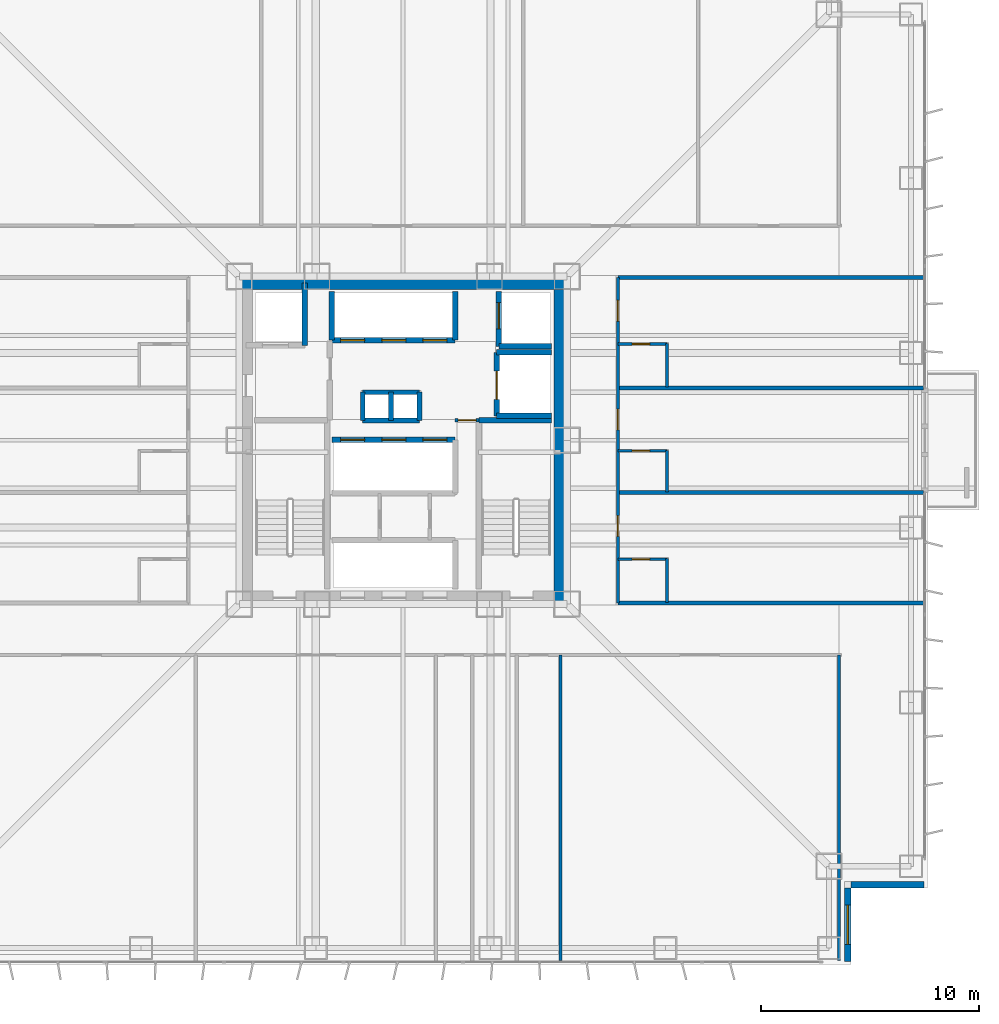
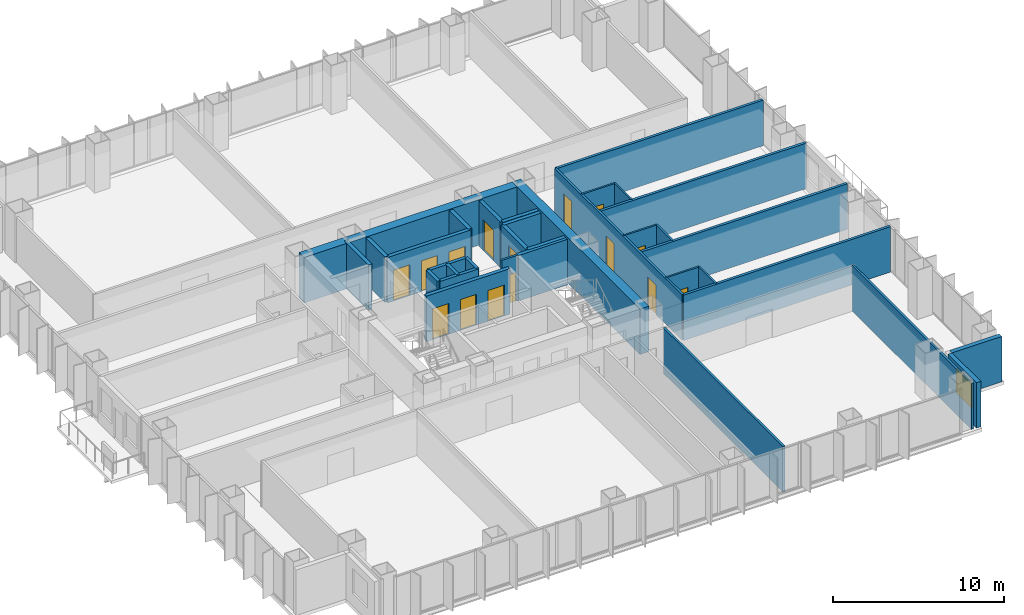
# One storey, part 12 of 16: 34 walls, 15 doors, 1 window, 16 openings.
"""IFC4 building model written with IfcOpenShell, lengths in metres."""

from ifc_helpers import new_model, si_unit, direction, frame, frame_2d, origin, place, context, subcontext, project, spatial, rectangle, extrude, material, layer, layer_set, type_object, element, fill, save


model = new_model("IFC4")

# Units and contexts
model_context = context("Model", 3, precision=1e-05, world=origin(), true_north=direction((0.0, 1.0)))
body_context = subcontext(model_context, "Body", "Model", "MODEL_VIEW")
ifc_project = project(units=[si_unit("LENGTHUNIT", "METRE"), si_unit("AREAUNIT", "SQUARE_METRE"), si_unit("VOLUMEUNIT", "CUBIC_METRE"), si_unit("PLANEANGLEUNIT", "RADIAN"), si_unit("MASSUNIT", "GRAM", prefix="KILO")], contexts=[model_context])

# Site, building, storey
site_placement = place(None, origin())
site = spatial("IfcSite", under=ifc_project, at=site_placement, CompositionType="ELEMENT")
building_placement = place(site_placement, origin())
building = spatial("IfcBuilding", under=site, at=building_placement, Name="Trevonay Congress Spire", CompositionType="ELEMENT")
storey_placement = place(building_placement, frame((0.0, 0.0, 48.0)))
storey = spatial("IfcBuildingStorey", under=building, at=storey_placement, Name="L11", CompositionType="ELEMENT", Elevation=48.0)

# Wall, opening, door
ifc_material_1 = material(Name="Concrete C40/50", Category="concrete")
ifc_layer_1 = layer(ifc_material_1, 0.1201171875, Name="Concrete C40/50")
ifc_layer_set_1 = layer_set([ifc_layer_1], Name="Concrete C40/50")
wall_type_1 = type_object("IfcWallType", Name="WAL-BATH-120", PredefinedType="PLUMBINGWALL", material=ifc_layer_set_1)
wall_1_placement = place(storey_placement, frame((9.830078125, -5.44189453125, 0.0), z_axis=(0.0, 0.0, 1.0), x_axis=(1.0, 0.0, 0.0)))
wall_1 = element("IfcWall", 1, at=wall_1_placement, inside=storey, type_object=wall_type_1, Name="L11 interior wall WH-L11E-BS1", PredefinedType="PLUMBINGWALL", context=body_context, shape_type="SweptSolid", body=[
    extrude(rectangle(XDim=2.25, YDim=0.1201171875, at=frame_2d((1.125, 0.0))), origin(), (0.0, 0.0, 1.0), 3.25),
])
opening_1_placement = place(wall_1_placement, frame((0.64990234375, 0.0, 0.0)))
opening_1 = element("IfcOpeningElement", 2, at=opening_1_placement, cuts=wall_1, Name="Opening D11", PredefinedType="OPENING", context=body_context, shape_type="SweptSolid", body=[
    extrude(rectangle(XDim=0.800048828125, YDim=2.050048828125, at=frame_2d((0.39990234375, 1.02490234375))), frame((0.0, 0.070068359375, 0.0), z_axis=(0.0, -1.0, 0.0), x_axis=(1.0, 0.0, 0.0)), (0.0, 0.0, 1.0), 0.14013671875),
])
ifc_material_2 = material(Name="Pale Anodised Aluminium EN AW-6063-T6", Category="aluminium")
door_type_1 = type_object("IfcDoorType", Name="DOR-BATH-80", OperationType="NOTDEFINED", PredefinedType="DOOR", material=ifc_material_2)
door_1_placement = place(opening_1_placement, origin())
door_1 = element("IfcDoor", 3, at=door_1_placement, inside=storey, type_object=door_type_1, Name="L11 En-suite Bathroom Door", OperationType="SINGLE_SWING_LEFT", OverallHeight=2.050048828125, OverallWidth=0.800048828125, PredefinedType="DOOR", context=body_context, shape_type="SweptSolid", body=[
    extrude(rectangle(XDim=0.800048828125, YDim=2.050048828125, at=frame_2d((0.39990234375, 1.02490234375))), frame((0.0, 0.02490234375, 0.0), z_axis=(0.0, -1.0, 0.0), x_axis=(1.0, 0.0, 0.0)), (0.0, 0.0, 1.0), 0.050048828125),
])
fill(opening_1, door_1)

# Wall
wall_2_placement = place(storey_placement, frame((12.080078125, -7.419921875, 0.0), z_axis=(0.0, 0.0, 1.0), x_axis=(0.0, 1.0, 0.0)))
element("IfcWall", 4, at=wall_2_placement, inside=storey, type_object=wall_type_1, Name="L11 interior wall WH-L11E-BF1", PredefinedType="PLUMBINGWALL", context=body_context, shape_type="SweptSolid", body=[
    extrude(rectangle(XDim=2.0078125, YDim=0.1201171875, at=frame_2d((1.00390625, 0.0))), origin(), (0.0, 0.0, 1.0), 3.25),
])

# Wall, opening, door
wall_3_placement = place(storey_placement, frame((9.830078125, -0.487060546875, 0.0), z_axis=(0.0, 0.0, 1.0), x_axis=(1.0, 0.0, 0.0)))
wall_3 = element("IfcWall", 5, at=wall_3_placement, inside=storey, type_object=wall_type_1, Name="L11 interior wall WH-L11E-BS2", PredefinedType="PLUMBINGWALL", context=body_context, shape_type="SweptSolid", body=[
    extrude(rectangle(XDim=2.25, YDim=0.1201171875, at=frame_2d((1.125, 0.0))), origin(), (0.0, 0.0, 1.0), 3.25),
])
opening_2_placement = place(wall_3_placement, frame((0.64990234375, 0.0, 0.0)))
opening_2 = element("IfcOpeningElement", 6, at=opening_2_placement, cuts=wall_3, Name="Opening D11", PredefinedType="OPENING", context=body_context, shape_type="SweptSolid", body=[
    extrude(rectangle(XDim=0.800048828125, YDim=2.050048828125, at=frame_2d((0.39990234375, 1.02490234375))), frame((0.0, 0.070068359375, 0.0), z_axis=(0.0, -1.0, 0.0), x_axis=(1.0, 0.0, 0.0)), (0.0, 0.0, 1.0), 0.14013671875),
])
door_2_placement = place(opening_2_placement, origin())
door_2 = element("IfcDoor", 7, at=door_2_placement, inside=storey, type_object=door_type_1, Name="L11 En-suite Bathroom Door", OperationType="SINGLE_SWING_RIGHT", OverallHeight=2.050048828125, OverallWidth=0.800048828125, PredefinedType="DOOR", context=body_context, shape_type="SweptSolid", body=[
    extrude(rectangle(XDim=0.800048828125, YDim=2.050048828125, at=frame_2d((0.39990234375, 1.02490234375))), frame((0.0, 0.02490234375, 0.0), z_axis=(0.0, -1.0, 0.0), x_axis=(1.0, 0.0, 0.0)), (0.0, 0.0, 1.0), 0.050048828125),
])
fill(opening_2, door_2)

# Wall
wall_4_placement = place(storey_placement, frame((12.080078125, -2.3701171875, 0.0), z_axis=(0.0, 0.0, 1.0), x_axis=(0.0, 1.0, 0.0)))
element("IfcWall", 8, at=wall_4_placement, inside=storey, type_object=wall_type_1, Name="L11 interior wall WH-L11E-BF2", PredefinedType="PLUMBINGWALL", context=body_context, shape_type="SweptSolid", body=[
    extrude(rectangle(XDim=1.9130859375, YDim=0.1201171875, at=frame_2d((0.95654296875, 0.0))), origin(), (0.0, 0.0, 1.0), 3.25),
])

# Wall, opening, door
wall_5_placement = place(storey_placement, frame((9.830078125, 4.407958984375, 0.0), z_axis=(0.0, 0.0, 1.0), x_axis=(1.0, 0.0, 0.0)))
wall_5 = element("IfcWall", 9, at=wall_5_placement, inside=storey, type_object=wall_type_1, Name="L11 interior wall WH-L11E-BS3", PredefinedType="PLUMBINGWALL", context=body_context, shape_type="SweptSolid", body=[
    extrude(rectangle(XDim=2.25, YDim=0.1201171875, at=frame_2d((1.125, 0.0))), origin(), (0.0, 0.0, 1.0), 3.25),
])
opening_3_placement = place(wall_5_placement, frame((0.64990234375, 0.0, 0.0)))
opening_3 = element("IfcOpeningElement", 10, at=opening_3_placement, cuts=wall_5, Name="Opening D11", PredefinedType="OPENING", context=body_context, shape_type="SweptSolid", body=[
    extrude(rectangle(XDim=0.800048828125, YDim=2.050048828125, at=frame_2d((0.39990234375, 1.02490234375))), frame((0.0, 0.070068359375, 0.0), z_axis=(0.0, -1.0, 0.0), x_axis=(1.0, 0.0, 0.0)), (0.0, 0.0, 1.0), 0.14013671875),
])
door_3_placement = place(opening_3_placement, origin())
door_3 = element("IfcDoor", 11, at=door_3_placement, inside=storey, type_object=door_type_1, Name="L11 En-suite Bathroom Door", OperationType="SINGLE_SWING_LEFT", OverallHeight=2.050048828125, OverallWidth=0.800048828125, PredefinedType="DOOR", context=body_context, shape_type="SweptSolid", body=[
    extrude(rectangle(XDim=0.800048828125, YDim=2.050048828125, at=frame_2d((0.39990234375, 1.02490234375))), frame((0.0, 0.02490234375, 0.0), z_axis=(0.0, -1.0, 0.0), x_axis=(1.0, 0.0, 0.0)), (0.0, 0.0, 1.0), 0.050048828125),
])
fill(opening_3, door_3)

# Walls
wall_6_placement = place(storey_placement, frame((12.080078125, 2.429931640625, 0.0), z_axis=(0.0, 0.0, 1.0), x_axis=(0.0, 1.0, 0.0)))
element("IfcWall", 12, at=wall_6_placement, inside=storey, type_object=wall_type_1, Name="L11 interior wall WH-L11E-BF3", PredefinedType="PLUMBINGWALL", context=body_context, shape_type="SweptSolid", body=[
    extrude(rectangle(XDim=2.008056640625, YDim=0.1201171875, at=frame_2d((1.00390625, 0.0))), origin(), (0.0, 0.0, 1.0), 3.25),
])
ifc_material_3 = material(Name="Concrete C60/75", Category="concrete")
ifc_layer_2 = layer(ifc_material_3, 0.60009765625, Name="Concrete C60/75")
ifc_layer_set_2 = layer_set([ifc_layer_2], Name="Concrete C60/75")
wall_type_2 = type_object("IfcWallType", Name="WAL-CORE-600", PredefinedType="SHEAR", material=ifc_layer_set_2)
for number, where, z_axis, x_axis, name in (
    (13, (-7.5, 7.199951171875, 0.0), (0.0, 0.0, 1.0), (1.0, 0.0, 0.0), "L11 North structural core shear wall"),
    (14, (7.199951171875, -7.5, 0.0), (0.0, 0.0, 1.0), (0.0, 1.0, 0.0), "L11 East structural core shear wall"),
):
    element("IfcWall", number, at=place(storey_placement, frame(where, z_axis=z_axis, x_axis=x_axis)), inside=storey, type_object=wall_type_2, Name=name, PredefinedType="SHEAR", context=body_context, shape_type="SweptSolid", body=[
        extrude(rectangle(XDim=15.0, YDim=0.60009765625, at=frame_2d((7.5, 0.0))), origin(), (0.0, 0.0, 1.0), 3.25),
    ])

# Wall, openings, doors
ifc_layer_3 = layer(ifc_material_1, 0.14990234375, Name="Concrete C40/50")
ifc_layer_set_3 = layer_set([ifc_layer_3], Name="Concrete C40/50")
wall_type_3 = type_object("IfcWallType", Name="WAL-CORR-150", PredefinedType="PARTITIONING", material=ifc_layer_set_3)
wall_7_placement = place(storey_placement, frame((9.830078125, -7.449951171875, 0.0), z_axis=(0.0, 0.0, 1.0), x_axis=(0.0, 1.0, 0.0)))
wall_7 = element("IfcWall", 15, at=wall_7_placement, inside=storey, type_object=wall_type_3, Name="L11 interior wall WH-L11E-COR", PredefinedType="PARTITIONING", context=body_context, shape_type="SweptSolid", body=[
    extrude(rectangle(XDim=14.89990234375, YDim=0.14990234375, at=frame_2d((7.449951171875, 0.0))), origin(), (0.0, 0.0, 1.0), 3.25),
])
opening_4_placement = place(wall_7_placement, frame((3.049072265625, 0.0, 0.0)))
opening_4 = element("IfcOpeningElement", 16, at=opening_4_placement, cuts=wall_7, Name="Opening D08", PredefinedType="OPENING", context=body_context, shape_type="SweptSolid", body=[
    extrude(rectangle(XDim=0.949951171875, YDim=2.080078125, at=frame_2d((0.47509765625, 1.0400390625))), frame((0.0, 0.0849609375, 0.0), z_axis=(0.0, -1.0, 0.0), x_axis=(1.0, 0.0, 0.0)), (0.0, 0.0, 1.0), 0.169921875),
])
opening_5_placement = place(wall_7_placement, frame((7.926513671875, 0.0, 0.0)))
opening_5 = element("IfcOpeningElement", 17, at=opening_5_placement, cuts=wall_7, Name="Opening D08", PredefinedType="OPENING", context=body_context, shape_type="SweptSolid", body=[
    extrude(rectangle(XDim=0.949951171875, YDim=2.080078125, at=frame_2d((0.47509765625, 1.0400390625))), frame((0.0, 0.0849609375, 0.0), z_axis=(0.0, -1.0, 0.0), x_axis=(1.0, 0.0, 0.0)), (0.0, 0.0, 1.0), 0.169921875),
])
opening_6_placement = place(wall_7_placement, frame((12.89892578125, 0.0, 0.0)))
opening_6 = element("IfcOpeningElement", 18, at=opening_6_placement, cuts=wall_7, Name="Opening D08", PredefinedType="OPENING", context=body_context, shape_type="SweptSolid", body=[
    extrude(rectangle(XDim=0.949951171875, YDim=2.080078125, at=frame_2d((0.47509765625, 1.0400390625))), frame((0.0, 0.0849609375, 0.0), z_axis=(0.0, -1.0, 0.0), x_axis=(1.0, 0.0, 0.0)), (0.0, 0.0, 1.0), 0.169921875),
])
door_type_2 = type_object("IfcDoorType", Name="DOR-SUITE-95", OperationType="NOTDEFINED", PredefinedType="DOOR", material=ifc_material_2)
door_4_placement = place(opening_4_placement, origin())
door_4 = element("IfcDoor", 19, at=door_4_placement, inside=storey, type_object=door_type_2, Name="L11 Corner Hotel Suite Entrance Door", OperationType="SINGLE_SWING_RIGHT", OverallHeight=2.080078125, OverallWidth=0.949951171875, PredefinedType="DOOR", context=body_context, shape_type="SweptSolid", body=[
    extrude(rectangle(XDim=0.949951171875, YDim=2.080078125, at=frame_2d((0.47509765625, 1.0400390625))), frame((0.0, 0.02490234375, 0.0), z_axis=(0.0, -1.0, 0.0), x_axis=(1.0, 0.0, 0.0)), (0.0, 0.0, 1.0), 0.050048828125),
])
fill(opening_4, door_4)
door_5_placement = place(opening_5_placement, origin())
door_5 = element("IfcDoor", 20, at=door_5_placement, inside=storey, type_object=door_type_2, Name="L11 Corner Hotel Suite Entrance Door", OperationType="SINGLE_SWING_LEFT", OverallHeight=2.080078125, OverallWidth=0.949951171875, PredefinedType="DOOR", context=body_context, shape_type="SweptSolid", body=[
    extrude(rectangle(XDim=0.949951171875, YDim=2.080078125, at=frame_2d((0.47509765625, 1.0400390625))), frame((0.0, 0.02490234375, 0.0), z_axis=(0.0, -1.0, 0.0), x_axis=(1.0, 0.0, 0.0)), (0.0, 0.0, 1.0), 0.050048828125),
])
fill(opening_5, door_5)
door_6_placement = place(opening_6_placement, origin())
door_6 = element("IfcDoor", 21, at=door_6_placement, inside=storey, type_object=door_type_2, Name="L11 Corner Hotel Suite Entrance Door", OperationType="SINGLE_SWING_RIGHT", OverallHeight=2.080078125, OverallWidth=0.949951171875, PredefinedType="DOOR", context=body_context, shape_type="SweptSolid", body=[
    extrude(rectangle(XDim=0.949951171875, YDim=2.080078125, at=frame_2d((0.47509765625, 1.0400390625))), frame((0.0, 0.02490234375, 0.0), z_axis=(0.0, -1.0, 0.0), x_axis=(1.0, 0.0, 0.0)), (0.0, 0.0, 1.0), 0.050048828125),
])
fill(opening_6, door_6)

# Wall, opening, window
ifc_material_4 = material(Name="Precast concrete C40/50", Category="concrete")
ifc_layer_4 = layer(ifc_material_4, 0.300048828125, Name="Precast concrete C40/50")
ifc_layer_set_4 = layer_set([ifc_layer_4], Name="Precast concrete C40/50")
wall_type_4 = type_object("IfcWallType", Name="WAL-EXT-PRECAST-300", PredefinedType="SOLIDWALL", material=ifc_layer_set_4)
wall_8_placement = place(storey_placement, frame((20.35009765625, -23.85009765625, 0.0), z_axis=(0.0, 0.0, 1.0), x_axis=(0.0, 1.0, 0.0)))
wall_8 = element("IfcWall", 22, at=wall_8_placement, inside=storey, type_object=wall_type_4, Name="L11 SE re-entrant notch exterior wall 1", PredefinedType="SOLIDWALL", context=body_context, shape_type="SweptSolid", body=[
    extrude(rectangle(XDim=3.35009765625, YDim=0.300048828125, at=frame_2d((1.675048828125, 0.0))), origin(), (0.0, 0.0, 1.0), 3.25),
])
opening_7_placement = place(wall_8_placement, frame((0.77490234375, 0.0, 0.89990234375)))
opening_7 = element("IfcOpeningElement", 23, at=opening_7_placement, cuts=wall_8, Name="Opening WN01", PredefinedType="OPENING", context=body_context, shape_type="SweptSolid", body=[
    extrude(rectangle(XDim=1.800048828125, YDim=1.800048828125, at=frame_2d((0.89990234375, 0.89990234375))), frame((0.0, 0.16015625, 0.0), z_axis=(0.0, -1.0, 0.0), x_axis=(1.0, 0.0, 0.0)), (0.0, 0.0, 1.0), 0.320068359375),
])
ifc_material_5 = material(Name="Insulated Low-E Vision Glass IGU", Category="glass")
window_type = type_object("IfcWindowType", Name="WIN-HOTEL-180X180", PartitioningType="SINGLE_PANEL", PredefinedType="WINDOW", material=ifc_material_5)
window_placement = place(opening_7_placement, origin())
window = element("IfcWindow", 24, at=window_placement, inside=storey, type_object=window_type, Name="L11 SE corner notch window", OverallHeight=1.800048828125, OverallWidth=1.800048828125, PartitioningType="SINGLE_PANEL", PredefinedType="WINDOW", context=body_context, shape_type="SweptSolid", body=[
    extrude(rectangle(XDim=1.800048828125, YDim=1.800048828125, at=frame_2d((0.89990234375, 0.89990234375))), frame((0.0, 0.030029296875, 0.0), z_axis=(0.0, -1.0, 0.0), x_axis=(1.0, 0.0, 0.0)), (0.0, 0.0, 1.0), 0.06005859375),
])
fill(opening_7, window)

# Walls
wall_9_placement = place(storey_placement, frame((23.85009765625, -20.35009765625, 0.0), z_axis=(0.0, 0.0, 1.0), x_axis=(-1.0, 0.0, 0.0)))
element("IfcWall", 25, at=wall_9_placement, inside=storey, type_object=wall_type_4, Name="L11 SE re-entrant notch exterior wall 2", PredefinedType="SOLIDWALL", context=body_context, shape_type="SweptSolid", body=[
    extrude(rectangle(XDim=3.35009765625, YDim=0.300048828125, at=frame_2d((1.675048828125, 0.0))), origin(), (0.0, 0.0, 1.0), 3.25),
])
ifc_layer_5 = layer(ifc_material_1, 0.179931640625, Name="Concrete C40/50")
ifc_layer_set_5 = layer_set([ifc_layer_5], Name="Concrete C40/50")
wall_type_5 = type_object("IfcWallType", Name="WAL-HOTEL-180", PredefinedType="PARTITIONING", material=ifc_layer_set_5)
for number, where, z_axis, x_axis, name in (
    (26, (9.830078125, -7.449951171875, 0.0), (0.0, 0.0, 1.0), (1.0, 0.0, 0.0), "L11 interior wall WH-L11E-DIV1"),
    (27, (9.830078125, -2.39990234375, 0.0), (0.0, 0.0, 1.0), (1.0, 0.0, 0.0), "L11 interior wall WH-L11E-DIV2"),
    (28, (9.830078125, 2.39990234375, 0.0), (0.0, 0.0, 1.0), (1.0, 0.0, 0.0), "L11 interior wall WH-L11E-DIV3"),
    (29, (9.830078125, 7.449951171875, 0.0), (0.0, 0.0, 1.0), (1.0, 0.0, 0.0), "L11 interior wall WH-L11E-DIV4"),
):
    element("IfcWall", number, at=place(storey_placement, frame(where, z_axis=z_axis, x_axis=x_axis)), inside=storey, type_object=wall_type_5, Name=name, PredefinedType="PARTITIONING", context=body_context, shape_type="SweptSolid", body=[
        extrude(rectangle(XDim=13.989990234375, YDim=0.179931640625, at=frame_2d((6.9951171875, 0.0))), origin(), (0.0, 0.0, 1.0), 3.25),
    ])

# Wall, opening, door
ifc_layer_6 = layer(ifc_material_1, 0.14990234375, Name="Concrete C40/50")
ifc_layer_set_6 = layer_set([ifc_layer_6], Name="Concrete C40/50")
wall_type_6 = type_object("IfcWallType", Name="WAL-PART-150", PredefinedType="PARTITIONING", material=ifc_layer_set_6)
wall_10_placement = place(storey_placement, frame((2.3798828125, 0.919921875, 0.0), z_axis=(0.0, 0.0, 1.0), x_axis=(1.0, 0.0, 0.0)))
wall_10 = element("IfcWall", 30, at=wall_10_placement, inside=storey, type_object=wall_type_6, Name="L11 interior wall CW-CSRV-N-L11", PredefinedType="PARTITIONING", context=body_context, shape_type="SweptSolid", body=[
    extrude(rectangle(XDim=1.090087890625, YDim=0.14990234375, at=frame_2d((0.544921875, 0.0))), origin(), (0.0, 0.0, 1.0), 3.25),
])
opening_8_placement = place(wall_10_placement, frame((0.135009765625, 0.0, 0.0)))
opening_8 = element("IfcOpeningElement", 31, at=opening_8_placement, cuts=wall_10, Name="Opening D13", PredefinedType="OPENING", context=body_context, shape_type="SweptSolid", body=[
    extrude(rectangle(XDim=0.820068359375, YDim=2.050048828125, at=frame_2d((0.41015625, 1.02490234375))), frame((0.0, 0.0849609375, 0.0), z_axis=(0.0, -1.0, 0.0), x_axis=(1.0, 0.0, 0.0)), (0.0, 0.0, 1.0), 0.169921875),
])
ifc_material_6 = material(Name="Steel ASTM A572 Grade 50", Category="steel")
door_type_3 = type_object("IfcDoorType", Name="DOR-UTIL-80", OperationType="NOTDEFINED", PredefinedType="DOOR", material=ifc_material_6)
door_7_placement = place(opening_8_placement, origin())
door_7 = element("IfcDoor", 32, at=door_7_placement, inside=storey, type_object=door_type_3, Name="L11 Core Service Pocket Door", OperationType="SINGLE_SWING_RIGHT", OverallHeight=2.050048828125, OverallWidth=0.820068359375, PredefinedType="DOOR", context=body_context, shape_type="SweptSolid", body=[
    extrude(rectangle(XDim=0.820068359375, YDim=2.050048828125, at=frame_2d((0.41015625, 1.02490234375))), frame((0.0, 0.02490234375, 0.0), z_axis=(0.0, -1.0, 0.0), x_axis=(1.0, 0.0, 0.0)), (0.0, 0.0, 1.0), 0.050048828125),
])
fill(opening_8, door_7)

# Walls
for number, where, z_axis, x_axis, name in (
    (33, (7.199951171875, -23.820068359375, 0.0), (0.0, 0.0, 1.0), (0.0, 1.0, 0.0), "L11 interior wall WP-L11S-DIV5"),
    (34, (19.949951171875, -23.820068359375, 0.0), (0.0, 0.0, 1.0), (0.0, 1.0, 0.0), "L11 interior wall WP-L11S-DIV6"),
):
    element("IfcWall", number, at=place(storey_placement, frame(where, z_axis=z_axis, x_axis=x_axis)), inside=storey, type_object=wall_type_6, Name=name, PredefinedType="PARTITIONING", context=body_context, shape_type="SweptSolid", body=[
        extrude(rectangle(XDim=13.989990234375, YDim=0.14990234375, at=frame_2d((6.9951171875, 0.0))), origin(), (0.0, 0.0, 1.0), 3.25),
    ])
ifc_layer_7 = layer(ifc_material_1, 0.219970703125, Name="Concrete C40/50")
ifc_layer_set_7 = layer_set([ifc_layer_7], Name="Concrete C40/50")
wall_type_7 = type_object("IfcWallType", Name="WAL-SHAFT-220", PredefinedType="PARTITIONING", material=ifc_layer_set_7)
for number, where, z_axis, x_axis, name in (
    (35, (-1.85009765625, 2.199951171875, 0.0), (0.0, 0.0, 1.0), (1.0, 0.0, 0.0), "L11 interior shaft wall WSH-L11-RSR-N"),
    (36, (-1.85009765625, 0.89990234375, 0.0), (0.0, 0.0, 1.0), (1.0, 0.0, 0.0), "L11 interior shaft wall WSH-L11-RSR-S"),
):
    element("IfcWall", number, at=place(storey_placement, frame(where, z_axis=z_axis, x_axis=x_axis)), inside=storey, type_object=wall_type_7, Name=name, PredefinedType="PARTITIONING", context=body_context, shape_type="SweptSolid", body=[
        extrude(rectangle(XDim=2.60009765625, YDim=0.219970703125, at=frame_2d((1.300048828125, 0.0))), origin(), (0.0, 0.0, 1.0), 3.25),
    ])
for number, where, z_axis, x_axis, name in (
    (37, (-0.550048828125, 0.89990234375, 0.0), (0.0, 0.0, 1.0), (0.0, 1.0, 0.0), "L11 interior shaft wall WSH-L11-RSR-M"),
    (38, (0.75, 0.89990234375, 0.0), (0.0, 0.0, 1.0), (0.0, 1.0, 0.0), "L11 interior shaft wall WSH-L11-RSR-E"),
    (39, (-1.85009765625, 0.89990234375, 0.0), (0.0, 0.0, 1.0), (0.0, 1.0, 0.0), "L11 interior shaft wall WSH-L11-RSR-W"),
):
    element("IfcWall", number, at=place(storey_placement, frame(where, z_axis=z_axis, x_axis=x_axis)), inside=storey, type_object=wall_type_7, Name=name, PredefinedType="PARTITIONING", context=body_context, shape_type="SweptSolid", body=[
        extrude(rectangle(XDim=1.300048828125, YDim=0.219970703125, at=frame_2d((0.64990234375, 0.0))), origin(), (0.0, 0.0, 1.0), 3.25),
    ])

# Wall, openings, doors
ifc_layer_8 = layer(ifc_material_1, 0.25, Name="Concrete C40/50")
ifc_layer_set_8 = layer_set([ifc_layer_8], Name="Concrete C40/50")
wall_type_8 = type_object("IfcWallType", Name="WAL-SHAFT-250", PredefinedType="SHEAR", material=ifc_layer_set_8)
wall_11_placement = place(storey_placement, frame((-3.260009765625, 0.02001953125, 0.0), z_axis=(0.0, 0.0, 1.0), x_axis=(1.0, 0.0, 0.0)))
wall_11 = element("IfcWall", 40, at=wall_11_placement, inside=storey, type_object=wall_type_8, Name="L11 interior shaft wall WSH-L11-B2-N", PredefinedType="SHEAR", context=body_context, shape_type="SweptSolid", body=[
    extrude(rectangle(XDim=5.639892578125, YDim=0.25, at=frame_2d((2.81982421875, 0.0))), origin(), (0.0, 0.0, 1.0), 3.25),
])
opening_9_placement = place(wall_11_placement, frame((0.39990234375, 0.0, 0.0)))
opening_9 = element("IfcOpeningElement", 41, at=opening_9_placement, cuts=wall_11, Name="Opening LD02", PredefinedType="OPENING", context=body_context, shape_type="SweptSolid", body=[
    extrude(rectangle(XDim=1.10009765625, YDim=2.199951171875, at=frame_2d((0.550048828125, 1.10009765625))), frame((0.0, 0.135009765625, 0.0), z_axis=(0.0, -1.0, 0.0), x_axis=(1.0, 0.0, 0.0)), (0.0, 0.0, 1.0), 0.27001953125),
])
opening_10_placement = place(wall_11_placement, frame((2.280029296875, 0.0, 0.0)))
opening_10 = element("IfcOpeningElement", 42, at=opening_10_placement, cuts=wall_11, Name="Opening LD02", PredefinedType="OPENING", context=body_context, shape_type="SweptSolid", body=[
    extrude(rectangle(XDim=1.10009765625, YDim=2.199951171875, at=frame_2d((0.550048828125, 1.10009765625))), frame((0.0, 0.135009765625, 0.0), z_axis=(0.0, -1.0, 0.0), x_axis=(1.0, 0.0, 0.0)), (0.0, 0.0, 1.0), 0.27001953125),
])
opening_11_placement = place(wall_11_placement, frame((4.159912109375, 0.0, 0.0)))
opening_11 = element("IfcOpeningElement", 43, at=opening_11_placement, cuts=wall_11, Name="Opening LD02", PredefinedType="OPENING", context=body_context, shape_type="SweptSolid", body=[
    extrude(rectangle(XDim=1.10009765625, YDim=2.199951171875, at=frame_2d((0.550048828125, 1.10009765625))), frame((0.0, 0.135009765625, 0.0), z_axis=(0.0, -1.0, 0.0), x_axis=(1.0, 0.0, 0.0)), (0.0, 0.0, 1.0), 0.27001953125),
])
door_type_4 = type_object("IfcDoorType", Name="DOR-LIFT-LD02", OperationType="DOUBLE_DOOR_SLIDING", PredefinedType="DOOR", material=ifc_material_2)
door_8_placement = place(opening_9_placement, origin())
door_8 = element("IfcDoor", 44, at=door_8_placement, inside=storey, type_object=door_type_4, Name="L11 Passenger lift PL-04 landing door", OperationType="DOUBLE_DOOR_SLIDING", OverallHeight=2.199951171875, OverallWidth=1.10009765625, PredefinedType="DOOR", context=body_context, shape_type="SweptSolid", body=[
    extrude(rectangle(XDim=1.10009765625, YDim=2.199951171875, at=frame_2d((0.550048828125, 1.10009765625))), frame((0.0, 0.02490234375, 0.0), z_axis=(0.0, -1.0, 0.0), x_axis=(1.0, 0.0, 0.0)), (0.0, 0.0, 1.0), 0.050048828125),
])
fill(opening_9, door_8)
door_9_placement = place(opening_10_placement, origin())
door_9 = element("IfcDoor", 45, at=door_9_placement, inside=storey, type_object=door_type_4, Name="L11 Passenger lift PL-05 landing door", OperationType="DOUBLE_DOOR_SLIDING", OverallHeight=2.199951171875, OverallWidth=1.10009765625, PredefinedType="DOOR", context=body_context, shape_type="SweptSolid", body=[
    extrude(rectangle(XDim=1.10009765625, YDim=2.199951171875, at=frame_2d((0.550048828125, 1.10009765625))), frame((0.0, 0.02490234375, 0.0), z_axis=(0.0, -1.0, 0.0), x_axis=(1.0, 0.0, 0.0)), (0.0, 0.0, 1.0), 0.050048828125),
])
fill(opening_10, door_9)
door_10_placement = place(opening_11_placement, origin())
door_10 = element("IfcDoor", 46, at=door_10_placement, inside=storey, type_object=door_type_4, Name="L11 Passenger lift PL-06 landing door", OperationType="DOUBLE_DOOR_SLIDING", OverallHeight=2.199951171875, OverallWidth=1.10009765625, PredefinedType="DOOR", context=body_context, shape_type="SweptSolid", body=[
    extrude(rectangle(XDim=1.10009765625, YDim=2.199951171875, at=frame_2d((0.550048828125, 1.10009765625))), frame((0.0, 0.02490234375, 0.0), z_axis=(0.0, -1.0, 0.0), x_axis=(1.0, 0.0, 0.0)), (0.0, 0.0, 1.0), 0.050048828125),
])
fill(opening_11, door_10)

wall_12_placement = place(storey_placement, frame((-3.260009765625, 4.580078125, 0.0), z_axis=(0.0, 0.0, 1.0), x_axis=(1.0, 0.0, 0.0)))
wall_12 = element("IfcWall", 47, at=wall_12_placement, inside=storey, type_object=wall_type_8, Name="L11 interior shaft wall WSH-L11-B3-S", PredefinedType="SHEAR", context=body_context, shape_type="SweptSolid", body=[
    extrude(rectangle(XDim=5.639892578125, YDim=0.25, at=frame_2d((2.81982421875, 0.0))), origin(), (0.0, 0.0, 1.0), 3.25),
])
opening_12_placement = place(wall_12_placement, frame((0.39990234375, 0.0, 0.0)))
opening_12 = element("IfcOpeningElement", 48, at=opening_12_placement, cuts=wall_12, Name="Opening LD03", PredefinedType="OPENING", context=body_context, shape_type="SweptSolid", body=[
    extrude(rectangle(XDim=1.10009765625, YDim=2.199951171875, at=frame_2d((0.550048828125, 1.10009765625))), frame((0.0, 0.135009765625, 0.0), z_axis=(0.0, -1.0, 0.0), x_axis=(1.0, 0.0, 0.0)), (0.0, 0.0, 1.0), 0.27001953125),
])
opening_13_placement = place(wall_12_placement, frame((2.280029296875, 0.0, 0.0)))
opening_13 = element("IfcOpeningElement", 49, at=opening_13_placement, cuts=wall_12, Name="Opening LD03", PredefinedType="OPENING", context=body_context, shape_type="SweptSolid", body=[
    extrude(rectangle(XDim=1.10009765625, YDim=2.199951171875, at=frame_2d((0.550048828125, 1.10009765625))), frame((0.0, 0.135009765625, 0.0), z_axis=(0.0, -1.0, 0.0), x_axis=(1.0, 0.0, 0.0)), (0.0, 0.0, 1.0), 0.27001953125),
])
opening_14_placement = place(wall_12_placement, frame((4.159912109375, 0.0, 0.0)))
opening_14 = element("IfcOpeningElement", 50, at=opening_14_placement, cuts=wall_12, Name="Opening LD03", PredefinedType="OPENING", context=body_context, shape_type="SweptSolid", body=[
    extrude(rectangle(XDim=1.10009765625, YDim=2.199951171875, at=frame_2d((0.550048828125, 1.10009765625))), frame((0.0, 0.135009765625, 0.0), z_axis=(0.0, -1.0, 0.0), x_axis=(1.0, 0.0, 0.0)), (0.0, 0.0, 1.0), 0.27001953125),
])
door_type_5 = type_object("IfcDoorType", Name="DOR-LIFT-LD03", OperationType="DOUBLE_DOOR_SLIDING", PredefinedType="DOOR", material=ifc_material_2)
door_11_placement = place(opening_12_placement, origin())
door_11 = element("IfcDoor", 51, at=door_11_placement, inside=storey, type_object=door_type_5, Name="L11 Passenger lift PL-07 landing door", OperationType="DOUBLE_DOOR_SLIDING", OverallHeight=2.199951171875, OverallWidth=1.10009765625, PredefinedType="DOOR", context=body_context, shape_type="SweptSolid", body=[
    extrude(rectangle(XDim=1.10009765625, YDim=2.199951171875, at=frame_2d((0.550048828125, 1.10009765625))), frame((0.0, 0.02490234375, 0.0), z_axis=(0.0, -1.0, 0.0), x_axis=(1.0, 0.0, 0.0)), (0.0, 0.0, 1.0), 0.050048828125),
])
fill(opening_12, door_11)
door_12_placement = place(opening_13_placement, origin())
door_12 = element("IfcDoor", 52, at=door_12_placement, inside=storey, type_object=door_type_5, Name="L11 Passenger lift PL-08 landing door", OperationType="DOUBLE_DOOR_SLIDING", OverallHeight=2.199951171875, OverallWidth=1.10009765625, PredefinedType="DOOR", context=body_context, shape_type="SweptSolid", body=[
    extrude(rectangle(XDim=1.10009765625, YDim=2.199951171875, at=frame_2d((0.550048828125, 1.10009765625))), frame((0.0, 0.02490234375, 0.0), z_axis=(0.0, -1.0, 0.0), x_axis=(1.0, 0.0, 0.0)), (0.0, 0.0, 1.0), 0.050048828125),
])
fill(opening_13, door_12)
door_13_placement = place(opening_14_placement, origin())
door_13 = element("IfcDoor", 53, at=door_13_placement, inside=storey, type_object=door_type_5, Name="L11 Passenger lift PL-09 landing door", OperationType="DOUBLE_DOOR_SLIDING", OverallHeight=2.199951171875, OverallWidth=1.10009765625, PredefinedType="DOOR", context=body_context, shape_type="SweptSolid", body=[
    extrude(rectangle(XDim=1.10009765625, YDim=2.199951171875, at=frame_2d((0.550048828125, 1.10009765625))), frame((0.0, 0.02490234375, 0.0), z_axis=(0.0, -1.0, 0.0), x_axis=(1.0, 0.0, 0.0)), (0.0, 0.0, 1.0), 0.050048828125),
])
fill(opening_14, door_13)

# Walls
for number, where, z_axis, x_axis, name in (
    (54, (-3.260009765625, 4.580078125, 0.0), (0.0, 0.0, 1.0), (0.0, 1.0, 0.0), "L11 interior shaft wall WSH-L11-B3-W"),
    (55, (2.3798828125, 4.580078125, 0.0), (0.0, 0.0, 1.0), (0.0, 1.0, 0.0), "L11 interior shaft wall WSH-L11-B3-E"),
):
    element("IfcWall", number, at=place(storey_placement, frame(where, z_axis=z_axis, x_axis=x_axis)), inside=storey, type_object=wall_type_8, Name=name, PredefinedType="SHEAR", context=body_context, shape_type="SweptSolid", body=[
        extrude(rectangle(XDim=2.219970703125, YDim=0.25, at=frame_2d((1.10986328125, 0.0))), origin(), (0.0, 0.0, 1.0), 3.25),
    ])
wall_13_placement = place(storey_placement, frame((-4.5, 4.35009765625, 0.0), z_axis=(0.0, 0.0, 1.0), x_axis=(0.0, 1.0, 0.0)))
element("IfcWall", 56, at=wall_13_placement, inside=storey, type_object=wall_type_8, Name="L11 interior shaft wall WSH-L11-FF1-E", PredefinedType="SHEAR", context=body_context, shape_type="SweptSolid", body=[
    extrude(rectangle(XDim=2.849853515625, YDim=0.25, at=frame_2d((1.4248046875, 0.0))), origin(), (0.0, 0.0, 1.0), 3.25),
])
wall_14_placement = place(storey_placement, frame((4.3798828125, 4.300048828125, 0.0), z_axis=(0.0, 0.0, 1.0), x_axis=(1.0, 0.0, 0.0)))
element("IfcWall", 57, at=wall_14_placement, inside=storey, type_object=wall_type_8, Name="L11 interior shaft wall WSH-L11-FF2-S", PredefinedType="SHEAR", context=body_context, shape_type="SweptSolid", body=[
    extrude(rectangle(XDim=2.420166015625, YDim=0.25, at=frame_2d((1.2099609375, 0.0))), origin(), (0.0, 0.0, 1.0), 3.25),
])

# Wall, opening, door
wall_15_placement = place(storey_placement, frame((4.3798828125, 4.300048828125, 0.0), z_axis=(0.0, 0.0, 1.0), x_axis=(0.0, 1.0, 0.0)))
wall_15 = element("IfcWall", 58, at=wall_15_placement, inside=storey, type_object=wall_type_8, Name="L11 interior shaft wall WSH-L11-FF2-W", PredefinedType="SHEAR", context=body_context, shape_type="SweptSolid", body=[
    extrude(rectangle(XDim=2.5, YDim=0.25, at=frame_2d((1.25, 0.0))), origin(), (0.0, 0.0, 1.0), 3.25),
])
opening_15_placement = place(wall_15_placement, frame((0.800048828125, 0.0, 0.0)))
opening_15 = element("IfcOpeningElement", 59, at=opening_15_placement, cuts=wall_15, Name="Opening LD04", PredefinedType="OPENING", context=body_context, shape_type="SweptSolid", body=[
    extrude(rectangle(XDim=1.199951171875, YDim=2.199951171875, at=frame_2d((0.60009765625, 1.10009765625))), frame((0.0, 0.135009765625, 0.0), z_axis=(0.0, -1.0, 0.0), x_axis=(1.0, 0.0, 0.0)), (0.0, 0.0, 1.0), 0.27001953125),
])
door_type_6 = type_object("IfcDoorType", Name="DOR-LIFT-LD04", OperationType="DOUBLE_DOOR_SLIDING", PredefinedType="DOOR", material=ifc_material_6)
door_14_placement = place(opening_15_placement, origin())
door_14 = element("IfcDoor", 60, at=door_14_placement, inside=storey, type_object=door_type_6, Name="L11 Firefighting lift FFL-02 landing door", OperationType="DOUBLE_DOOR_SLIDING", OverallHeight=2.199951171875, OverallWidth=1.199951171875, PredefinedType="DOOR", context=body_context, shape_type="SweptSolid", body=[
    extrude(rectangle(XDim=1.199951171875, YDim=2.199951171875, at=frame_2d((0.60009765625, 1.10009765625))), frame((0.0, 0.02490234375, 0.0), z_axis=(0.0, -1.0, 0.0), x_axis=(1.0, 0.0, 0.0)), (0.0, 0.0, 1.0), 0.050048828125),
])
fill(opening_15, door_14)

wall_16_placement = place(storey_placement, frame((4.280029296875, 1.1201171875, 0.0), z_axis=(0.0, 0.0, 1.0), x_axis=(0.0, 1.0, 0.0)))
wall_16 = element("IfcWall", 61, at=wall_16_placement, inside=storey, type_object=wall_type_8, Name="L11 interior shaft wall WSH-L11-SV-W", PredefinedType="SHEAR", context=body_context, shape_type="SweptSolid", body=[
    extrude(rectangle(XDim=2.89990234375, YDim=0.25, at=frame_2d((1.449951171875, 0.0))), origin(), (0.0, 0.0, 1.0), 3.25),
])
opening_16_placement = place(wall_16_placement, frame((0.75, 0.0, 0.0)))
opening_16 = element("IfcOpeningElement", 62, at=opening_16_placement, cuts=wall_16, Name="Opening LD05", PredefinedType="OPENING", context=body_context, shape_type="SweptSolid", body=[
    extrude(rectangle(XDim=1.300048828125, YDim=2.300048828125, at=frame_2d((0.64990234375, 1.14990234375))), frame((0.0, 0.135009765625, 0.0), z_axis=(0.0, -1.0, 0.0), x_axis=(1.0, 0.0, 0.0)), (0.0, 0.0, 1.0), 0.27001953125),
])
door_type_7 = type_object("IfcDoorType", Name="DOR-LIFT-LD05", OperationType="DOUBLE_DOOR_SLIDING", PredefinedType="DOOR", material=ifc_material_6)
door_15_placement = place(opening_16_placement, origin())
door_15 = element("IfcDoor", 63, at=door_15_placement, inside=storey, type_object=door_type_7, Name="L11 Goods lift SVL-01 landing door", OperationType="DOUBLE_DOOR_SLIDING", OverallHeight=2.300048828125, OverallWidth=1.300048828125, PredefinedType="DOOR", context=body_context, shape_type="SweptSolid", body=[
    extrude(rectangle(XDim=1.300048828125, YDim=2.300048828125, at=frame_2d((0.64990234375, 1.14990234375))), frame((0.0, 0.02490234375, 0.0), z_axis=(0.0, -1.0, 0.0), x_axis=(1.0, 0.0, 0.0)), (0.0, 0.0, 1.0), 0.050048828125),
])
fill(opening_16, door_15)

# Walls
for number, where, z_axis, x_axis, name in (
    (64, (4.280029296875, 1.1201171875, 0.0), (0.0, 0.0, 1.0), (1.0, 0.0, 0.0), "L11 interior shaft wall WSH-L11-SV-S"),
    (65, (4.280029296875, 4.02001953125, 0.0), (0.0, 0.0, 1.0), (1.0, 0.0, 0.0), "L11 interior shaft wall WSH-L11-SV-N"),
):
    element("IfcWall", number, at=place(storey_placement, frame(where, z_axis=z_axis, x_axis=x_axis)), inside=storey, type_object=wall_type_8, Name=name, PredefinedType="SHEAR", context=body_context, shape_type="SweptSolid", body=[
        extrude(rectangle(XDim=2.52001953125, YDim=0.25, at=frame_2d((1.260009765625, 0.0))), origin(), (0.0, 0.0, 1.0), 3.25),
    ])
ifc_layer_9 = layer(ifc_material_1, 0.25, Name="Concrete C40/50")
ifc_layer_set_9 = layer_set([ifc_layer_9], Name="Concrete C40/50")
wall_type_9 = type_object("IfcWallType", Name="WAL-SHAFT-LB-250", PredefinedType="SHEAR", material=ifc_layer_set_9)
wall_17_placement = place(storey_placement, frame((3.469970703125, 0.919921875, 0.0), z_axis=(0.0, 0.0, 1.0), x_axis=(1.0, 0.0, 0.0)))
element("IfcWall", 66, at=wall_17_placement, inside=storey, type_object=wall_type_9, Name="L11 interior shaft wall WSH-L11-ST2-N", PredefinedType="SHEAR", context=body_context, shape_type="SweptSolid", body=[
    extrude(rectangle(XDim=3.330078125, YDim=0.25, at=frame_2d((1.6650390625, 0.0))), origin(), (0.0, 0.0, 1.0), 3.25),
])

save(model, "model.ifc")
